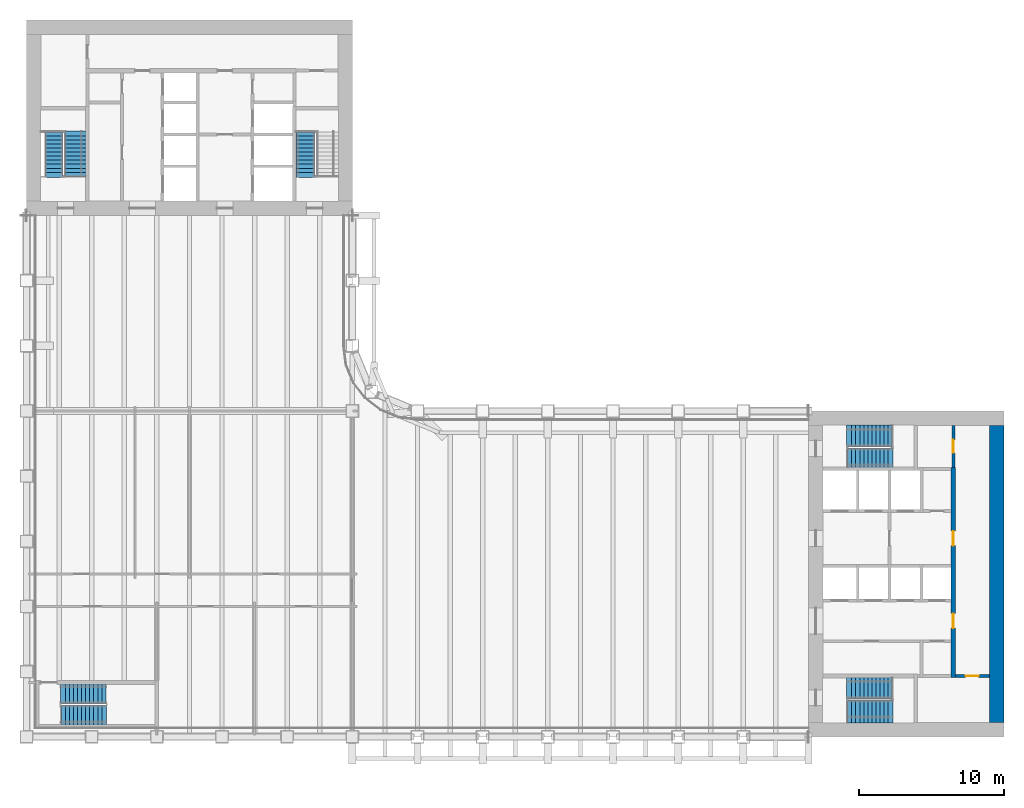
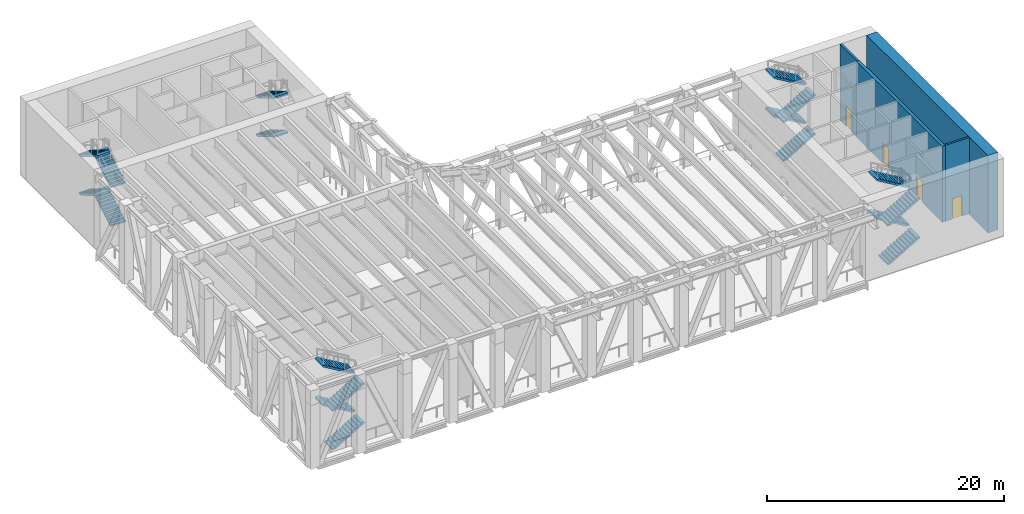
# One storey, part 11 of 16: 18 stair flights, 4 doors, 4 walls, 4 openings, 5 elements without a shape of their own.
"""IFC4 building model written with IfcOpenShell, lengths in metres."""

from ifc_helpers import new_model, si_unit, direction, frame, frame_2d, origin, place, context, subcontext, project, spatial, polyline, rectangle, outline, extrude, material, layer, layer_set, type_object, element, fill, aggregate, save


model = new_model("IFC4")

# Units and contexts
model_context = context("Model", 3, precision=1e-05, world=origin(), true_north=direction((0.0, 1.0)))
body_context = subcontext(model_context, "Body", "Model", "MODEL_VIEW")
ifc_project = project(units=[si_unit("LENGTHUNIT", "METRE"), si_unit("AREAUNIT", "SQUARE_METRE"), si_unit("VOLUMEUNIT", "CUBIC_METRE"), si_unit("PLANEANGLEUNIT", "RADIAN"), si_unit("MASSUNIT", "GRAM", prefix="KILO")], contexts=[model_context])

# Site, building, storey
site_placement = place(None, origin())
site = spatial("IfcSite", under=ifc_project, at=site_placement, CompositionType="ELEMENT")
building_placement = place(site_placement, origin())
building = spatial("IfcBuilding", under=site, at=building_placement, Name="Sennacour Bend Tower", CompositionType="ELEMENT")
storey_placement = place(building_placement, frame((0.0, 0.0, 187.0)))
storey = spatial("IfcBuildingStorey", under=building, at=storey_placement, Name="L43", CompositionType="ELEMENT", Elevation=187.0)

# Wall
ifc_material_1 = material(Name="Concrete C60/75", Category="concrete")
ifc_layer_1 = layer(ifc_material_1, 1.0, Name="Concrete C60/75", Category="concrete")
ifc_layer_set_1 = layer_set([ifc_layer_1], Name="Concrete C60/75")
wall_type_1 = type_object("IfcWallType", Name="Core wall 1000 C60/75", PredefinedType="SHEAR", material=ifc_layer_set_1)
wall_1_placement = place(storey_placement, frame((67.0, 1.0, -0.14990234375), z_axis=(0.0, 0.0, 1.0), x_axis=(0.0, 1.0, 0.0)))
element("IfcWall", 1, at=wall_1_placement, inside=storey, type_object=wall_type_1, Name="Core A wall L43 E", PredefinedType="SHEAR", context=body_context, shape_type="SweptSolid", body=[
    extrude(rectangle(XDim=20.5, YDim=1.0, at=frame_2d((10.25, 0.0))), origin(), (0.0, 0.0, 1.0), 8.0),
])

# Wall, opening, door
ifc_material_2 = material(Name="Fire-rated plasterboard partition on steel studs", Category="steel")
ifc_layer_2 = layer(ifc_material_2, 0.199951171875, Name="Fire-rated plasterboard partition on steel studs", Category="steel")
ifc_layer_set_2 = layer_set([ifc_layer_2], Name="Fire-rated plasterboard partition on steel studs")
wall_type_2 = type_object("IfcWallType", Name="Rated partition 200", PredefinedType="PARTITIONING", material=ifc_layer_set_2)
wall_2_placement = place(storey_placement, frame((64.0, 18.60009765625, 0.0), z_axis=(0.0, 0.0, 1.0), x_axis=(0.0, 1.0, 0.0)))
wall_2 = element("IfcWall", 2, at=wall_2_placement, inside=storey, type_object=wall_type_2, Name="P-L43-W031", PredefinedType="PARTITIONING", context=body_context, shape_type="SweptSolid", body=[
    extrude(rectangle(XDim=2.89990234375, YDim=0.199951171875, at=frame_2d((1.449951171875, 0.0))), origin(), (0.0, 0.0, 1.0), 7.85009765625),
])
opening_1_placement = place(wall_2_placement, frame((1.0, 0.0, 0.0)))
opening_1 = element("IfcOpeningElement", 3, at=opening_1_placement, cuts=wall_2, Name="Opening SV", PredefinedType="OPENING", context=body_context, shape_type="SweptSolid", body=[
    extrude(rectangle(XDim=0.89990234375, YDim=2.10009765625, at=frame_2d((0.449951171875, 1.050048828125))), frame((0.0, 0.10986328125, 0.0), z_axis=(0.0, -1.0, 0.0), x_axis=(1.0, 0.0, 0.0)), (0.0, 0.0, 1.0), 0.219970703125),
])
ifc_material_3 = material(Name="Painted steel", Category="steel")
door_type_1 = type_object("IfcDoorType", Name="DR-SERVICE-900", OperationType="NOTDEFINED", PredefinedType="DOOR", material=ifc_material_3)
door_1_placement = place(opening_1_placement, origin())
door_1 = element("IfcDoor", 4, at=door_1_placement, inside=storey, type_object=door_type_1, Name="Door", OperationType="SINGLE_SWING_LEFT", OverallHeight=2.10009765625, OverallWidth=0.89990234375, PredefinedType="DOOR", context=body_context, shape_type="SweptSolid", body=[
    extrude(rectangle(XDim=0.89990234375, YDim=2.10009765625, at=frame_2d((0.449951171875, 1.050048828125))), frame((0.0, 0.02490234375, 0.0), z_axis=(0.0, -1.0, 0.0), x_axis=(1.0, 0.0, 0.0)), (0.0, 0.0, 1.0), 0.050048828125),
])
fill(opening_1, door_1)

wall_3_placement = place(storey_placement, frame((64.14990234375, 4.199951171875, 0.0), z_axis=(0.0, 0.0, 1.0), x_axis=(1.0, 0.0, 0.0)))
wall_3 = element("IfcWall", 5, at=wall_3_placement, inside=storey, type_object=wall_type_2, Name="P-L43-W037c", PredefinedType="PARTITIONING", context=body_context, shape_type="SweptSolid", body=[
    extrude(rectangle(XDim=2.35009765625, YDim=0.199951171875, at=frame_2d((1.175048828125, 0.0))), origin(), (0.0, 0.0, 1.0), 7.85009765625),
])
opening_2_placement = place(wall_3_placement, frame((0.7001953125, 0.0, 0.0)))
opening_2 = element("IfcOpeningElement", 6, at=opening_2_placement, cuts=wall_3, Name="Opening SV", PredefinedType="OPENING", context=body_context, shape_type="SweptSolid", body=[
    extrude(rectangle(XDim=0.89990234375, YDim=2.10009765625, at=frame_2d((0.449951171875, 1.050048828125))), frame((0.0, 0.10986328125, 0.0), z_axis=(0.0, -1.0, 0.0), x_axis=(1.0, 0.0, 0.0)), (0.0, 0.0, 1.0), 0.219970703125),
])
door_2_placement = place(opening_2_placement, origin())
door_2 = element("IfcDoor", 7, at=door_2_placement, inside=storey, type_object=door_type_1, Name="Door", OperationType="SINGLE_SWING_LEFT", OverallHeight=2.10009765625, OverallWidth=0.89990234375, PredefinedType="DOOR", context=body_context, shape_type="SweptSolid", body=[
    extrude(rectangle(XDim=0.89990234375, YDim=2.10009765625, at=frame_2d((0.449951171875, 1.050048828125))), frame((0.0, 0.02490234375, 0.0), z_axis=(0.0, -1.0, 0.0), x_axis=(1.0, 0.0, 0.0)), (0.0, 0.0, 1.0), 0.050048828125),
])
fill(opening_2, door_2)

# Wall, openings, doors
ifc_layer_3 = layer(ifc_material_1, 0.300048828125, Name="Concrete C60/75", Category="concrete")
ifc_layer_set_3 = layer_set([ifc_layer_3], Name="Concrete C60/75")
wall_type_3 = type_object("IfcWallType", Name="Spine wall 300", PredefinedType="SHEAR", material=ifc_layer_set_3)
wall_4_placement = place(storey_placement, frame((64.0, 4.10009765625, 0.0), z_axis=(0.0, 0.0, 1.0), x_axis=(0.0, 1.0, 0.0)))
wall_4 = element("IfcWall", 8, at=wall_4_placement, inside=storey, type_object=wall_type_3, Name="P-L43-W030", PredefinedType="SHEAR", context=body_context, shape_type="SweptSolid", body=[
    extrude(rectangle(XDim=14.5, YDim=0.300048828125, at=frame_2d((7.25, 0.0))), origin(), (0.0, 0.0, 1.0), 7.85009765625),
])
opening_3_placement = place(wall_4_placement, frame((3.39990234375, 0.0, 0.0)))
opening_3 = element("IfcOpeningElement", 9, at=opening_3_placement, cuts=wall_4, Name="Opening CD2", PredefinedType="OPENING", context=body_context, shape_type="SweptSolid", body=[
    extrude(rectangle(XDim=1.0, YDim=2.10009765625, at=frame_2d((0.5, 1.050048828125))), frame((0.0, 0.16015625, 0.0), z_axis=(0.0, -1.0, 0.0), x_axis=(1.0, 0.0, 0.0)), (0.0, 0.0, 1.0), 0.320068359375),
])
opening_4_placement = place(wall_4_placement, frame((9.099853515625, 0.0, 0.0)))
opening_4 = element("IfcOpeningElement", 10, at=opening_4_placement, cuts=wall_4, Name="Opening CD2", PredefinedType="OPENING", context=body_context, shape_type="SweptSolid", body=[
    extrude(rectangle(XDim=1.0, YDim=2.10009765625, at=frame_2d((0.5, 1.050048828125))), frame((0.0, 0.16015625, 0.0), z_axis=(0.0, -1.0, 0.0), x_axis=(1.0, 0.0, 0.0)), (0.0, 0.0, 1.0), 0.320068359375),
])
door_type_2 = type_object("IfcDoorType", Name="DR-LOBBY-1000", OperationType="NOTDEFINED", PredefinedType="DOOR", material=ifc_material_3)
door_3_placement = place(opening_3_placement, origin())
door_3 = element("IfcDoor", 11, at=door_3_placement, inside=storey, type_object=door_type_2, Name="Door", OperationType="SINGLE_SWING_LEFT", OverallHeight=2.10009765625, OverallWidth=1.0, PredefinedType="DOOR", context=body_context, shape_type="SweptSolid", body=[
    extrude(rectangle(XDim=1.0, YDim=2.10009765625, at=frame_2d((0.5, 1.050048828125))), frame((0.0, 0.02490234375, 0.0), z_axis=(0.0, -1.0, 0.0), x_axis=(1.0, 0.0, 0.0)), (0.0, 0.0, 1.0), 0.050048828125),
])
fill(opening_3, door_3)
door_4_placement = place(opening_4_placement, origin())
door_4 = element("IfcDoor", 12, at=door_4_placement, inside=storey, type_object=door_type_2, Name="Door", OperationType="SINGLE_SWING_RIGHT", OverallHeight=2.10009765625, OverallWidth=1.0, PredefinedType="DOOR", context=body_context, shape_type="SweptSolid", body=[
    extrude(rectangle(XDim=1.0, YDim=2.10009765625, at=frame_2d((0.5, 1.050048828125))), frame((0.0, 0.02490234375, 0.0), z_axis=(0.0, -1.0, 0.0), x_axis=(1.0, 0.0, 0.0)), (0.0, 0.0, 1.0), 0.050048828125),
])
fill(opening_4, door_4)

# Stair, stair flights
ifc_material_4 = material(Name="Concrete C40/50", Category="concrete")
stair_type = type_object("IfcStairType", Name="ST-DOGLEG", PredefinedType="HALF_TURN_STAIR", material=ifc_material_4)
stair_1_placement = place(storey_placement, origin())
stair_1 = element("IfcStair", 13, at=stair_1_placement, inside=storey, type_object=stair_type, Name="L43 Exit stair A1", PredefinedType="HALF_TURN_STAIR")
stair_flight_type = type_object("IfcStairFlightType", Name="SFL-RC", PredefinedType="STRAIGHT", material=ifc_material_4)
stair_flight_1_placement = place(storey_placement, frame((56.699951171875, 1.735107421875, 0.0), z_axis=(0.0, 0.0, 1.0), x_axis=(1.0, 0.0, 0.0)))
stair_flight_1 = element("IfcStairFlight", 14, at=stair_flight_1_placement, type_object=stair_flight_type, Name="SA1 flight 1", NumberOfRisers=12, NumberOfTreads=11, PredefinedType="STRAIGHT", RiserHeight=0.166666667, TreadLength=0.28, context=body_context, shape_type="SweptSolid", body=[
    extrude(outline(polyline([(0.0, 0.0), (0.0, 0.166748046875), (0.280029296875, 0.166748046875), (0.280029296875, 0.333251953125), (0.56005859375, 0.333251953125), (0.56005859375, 0.5), (0.840087890625, 0.5), (0.840087890625, 0.666748046875), (1.1201171875, 0.666748046875), (1.1201171875, 0.833251953125), (1.39990234375, 0.833251953125), (1.39990234375, 1.0), (1.679931640625, 1.0), (1.679931640625, 1.166748046875), (1.9599609375, 1.166748046875), (1.9599609375, 1.333251953125), (2.239990234375, 1.333251953125), (2.239990234375, 1.5), (2.52001953125, 1.5), (2.52001953125, 1.666748046875), (2.800048828125, 1.666748046875), (2.800048828125, 1.833251953125), (3.080078125, 1.833251953125), (3.139892578125, 1.833251953125), (3.139892578125, 1.658935546875), (3.080078125, 1.658935546875), (0.29296875, 0.0), (0.0, 0.0)])), frame((0.0, 0.76513671875, 0.0), z_axis=(0.0, -1.0, 0.0), x_axis=(1.0, 0.0, 0.0)), (0.0, 0.0, 1.0), 1.530029296875),
])
stair_flight_2_placement = place(storey_placement, frame((59.780029296875, 3.37744140625, 2.0), z_axis=(0.0, 0.0, 1.0), x_axis=(-1.0, 0.0, 0.0)))
stair_flight_2 = element("IfcStairFlight", 15, at=stair_flight_2_placement, type_object=stair_flight_type, Name="SA1 flight 2", NumberOfRisers=12, NumberOfTreads=11, PredefinedType="STRAIGHT", RiserHeight=0.166666667, TreadLength=0.28, context=body_context, shape_type="SweptSolid", body=[
    extrude(outline(polyline([(0.0, 0.0), (0.0, 0.166748046875), (0.280029296875, 0.166748046875), (0.280029296875, 0.333251953125), (0.56005859375, 0.333251953125), (0.56005859375, 0.5), (0.840087890625, 0.5), (0.840087890625, 0.666748046875), (1.1201171875, 0.666748046875), (1.1201171875, 0.833251953125), (1.39990234375, 0.833251953125), (1.39990234375, 1.0), (1.679931640625, 1.0), (1.679931640625, 1.166748046875), (1.9599609375, 1.166748046875), (1.9599609375, 1.333251953125), (2.239990234375, 1.333251953125), (2.239990234375, 1.5), (2.52001953125, 1.5), (2.52001953125, 1.666748046875), (2.800048828125, 1.666748046875), (2.800048828125, 1.833251953125), (3.080078125, 1.833251953125), (3.139892578125, 1.833251953125), (3.139892578125, 1.658935546875), (3.080078125, 1.658935546875), (0.29296875, 0.0), (0.0, 0.0)])), frame((0.0, 0.7275390625, 0.0), z_axis=(0.0, -1.0, 0.0), x_axis=(1.0, 0.0, 0.0)), (0.0, 0.0, 1.0), 1.455078125),
])
stair_flight_3_placement = place(storey_placement, frame((56.699951171875, 1.735107421875, 4.0), z_axis=(0.0, 0.0, 1.0), x_axis=(1.0, 0.0, 0.0)))
stair_flight_3 = element("IfcStairFlight", 16, at=stair_flight_3_placement, type_object=stair_flight_type, Name="SA1 flight 3", NumberOfRisers=12, NumberOfTreads=11, PredefinedType="STRAIGHT", RiserHeight=0.166666667, TreadLength=0.28, context=body_context, shape_type="SweptSolid", body=[
    extrude(outline(polyline([(0.0, 0.0), (0.0, 0.166748046875), (0.280029296875, 0.166748046875), (0.280029296875, 0.333251953125), (0.56005859375, 0.333251953125), (0.56005859375, 0.5), (0.840087890625, 0.5), (0.840087890625, 0.666748046875), (1.1201171875, 0.666748046875), (1.1201171875, 0.833251953125), (1.39990234375, 0.833251953125), (1.39990234375, 1.0), (1.679931640625, 1.0), (1.679931640625, 1.166748046875), (1.9599609375, 1.166748046875), (1.9599609375, 1.333251953125), (2.239990234375, 1.333251953125), (2.239990234375, 1.5), (2.52001953125, 1.5), (2.52001953125, 1.666748046875), (2.800048828125, 1.666748046875), (2.800048828125, 1.833251953125), (3.080078125, 1.833251953125), (3.139892578125, 1.833251953125), (3.139892578125, 1.658935546875), (3.080078125, 1.658935546875), (0.29296875, 0.0), (0.0, 0.0)])), frame((0.0, 0.76513671875, 0.0), z_axis=(0.0, -1.0, 0.0), x_axis=(1.0, 0.0, 0.0)), (0.0, 0.0, 1.0), 1.530029296875),
])
stair_flight_4_placement = place(storey_placement, frame((59.780029296875, 3.37744140625, 6.0), z_axis=(0.0, 0.0, 1.0), x_axis=(-1.0, 0.0, 0.0)))
stair_flight_4 = element("IfcStairFlight", 17, at=stair_flight_4_placement, type_object=stair_flight_type, Name="SA1 flight 4", NumberOfRisers=12, NumberOfTreads=11, PredefinedType="STRAIGHT", RiserHeight=0.166666667, TreadLength=0.28, context=body_context, shape_type="SweptSolid", body=[
    extrude(outline(polyline([(0.0, 0.0), (0.0, 0.166748046875), (0.280029296875, 0.166748046875), (0.280029296875, 0.333251953125), (0.56005859375, 0.333251953125), (0.56005859375, 0.5), (0.840087890625, 0.5), (0.840087890625, 0.666748046875), (1.1201171875, 0.666748046875), (1.1201171875, 0.833251953125), (1.39990234375, 0.833251953125), (1.39990234375, 1.0), (1.679931640625, 1.0), (1.679931640625, 1.166748046875), (1.9599609375, 1.166748046875), (1.9599609375, 1.333251953125), (2.239990234375, 1.333251953125), (2.239990234375, 1.5), (2.52001953125, 1.5), (2.52001953125, 1.666748046875), (2.800048828125, 1.666748046875), (2.800048828125, 1.833251953125), (3.080078125, 1.833251953125), (3.139892578125, 1.833251953125), (3.139892578125, 1.658935546875), (3.080078125, 1.658935546875), (0.29296875, 0.0), (0.0, 0.0)])), frame((0.0, 0.7275390625, 0.0), z_axis=(0.0, -1.0, 0.0), x_axis=(1.0, 0.0, 0.0)), (0.0, 0.0, 1.0), 1.455078125),
])
aggregate(stair_1, [stair_flight_1, stair_flight_2, stair_flight_3, stair_flight_4])

stair_2_placement = place(storey_placement, origin())
stair_2 = element("IfcStair", 18, at=stair_2_placement, inside=storey, type_object=stair_type, Name="L43 Exit stair A2", PredefinedType="HALF_TURN_STAIR")
stair_flight_5_placement = place(storey_placement, frame((56.699951171875, 19.24755859375, 0.0), z_axis=(0.0, 0.0, 1.0), x_axis=(1.0, 0.0, 0.0)))
stair_flight_5 = element("IfcStairFlight", 19, at=stair_flight_5_placement, type_object=stair_flight_type, Name="SA2 flight 1", NumberOfRisers=12, NumberOfTreads=11, PredefinedType="STRAIGHT", RiserHeight=0.166666667, TreadLength=0.28, context=body_context, shape_type="SweptSolid", body=[
    extrude(outline(polyline([(0.0, 0.0), (0.0, 0.166748046875), (0.280029296875, 0.166748046875), (0.280029296875, 0.333251953125), (0.56005859375, 0.333251953125), (0.56005859375, 0.5), (0.840087890625, 0.5), (0.840087890625, 0.666748046875), (1.1201171875, 0.666748046875), (1.1201171875, 0.833251953125), (1.39990234375, 0.833251953125), (1.39990234375, 1.0), (1.679931640625, 1.0), (1.679931640625, 1.166748046875), (1.9599609375, 1.166748046875), (1.9599609375, 1.333251953125), (2.239990234375, 1.333251953125), (2.239990234375, 1.5), (2.52001953125, 1.5), (2.52001953125, 1.666748046875), (2.800048828125, 1.666748046875), (2.800048828125, 1.833251953125), (3.080078125, 1.833251953125), (3.139892578125, 1.833251953125), (3.139892578125, 1.658935546875), (3.080078125, 1.658935546875), (0.29296875, 0.0), (0.0, 0.0)])), frame((0.0, 0.65234375, 0.0), z_axis=(0.0, -1.0, 0.0), x_axis=(1.0, 0.0, 0.0)), (0.0, 0.0, 1.0), 1.304931640625),
])
stair_flight_6_placement = place(storey_placement, frame((59.780029296875, 20.7900390625, 2.0), z_axis=(0.0, 0.0, 1.0), x_axis=(-1.0, 0.0, 0.0)))
stair_flight_6 = element("IfcStairFlight", 20, at=stair_flight_6_placement, type_object=stair_flight_type, Name="SA2 flight 2", NumberOfRisers=12, NumberOfTreads=11, PredefinedType="STRAIGHT", RiserHeight=0.166666667, TreadLength=0.28, context=body_context, shape_type="SweptSolid", body=[
    extrude(outline(polyline([(0.0, 0.0), (0.0, 0.166748046875), (0.280029296875, 0.166748046875), (0.280029296875, 0.333251953125), (0.56005859375, 0.333251953125), (0.56005859375, 0.5), (0.840087890625, 0.5), (0.840087890625, 0.666748046875), (1.1201171875, 0.666748046875), (1.1201171875, 0.833251953125), (1.39990234375, 0.833251953125), (1.39990234375, 1.0), (1.679931640625, 1.0), (1.679931640625, 1.166748046875), (1.9599609375, 1.166748046875), (1.9599609375, 1.333251953125), (2.239990234375, 1.333251953125), (2.239990234375, 1.5), (2.52001953125, 1.5), (2.52001953125, 1.666748046875), (2.800048828125, 1.666748046875), (2.800048828125, 1.833251953125), (3.080078125, 1.833251953125), (3.139892578125, 1.833251953125), (3.139892578125, 1.658935546875), (3.080078125, 1.658935546875), (0.29296875, 0.0), (0.0, 0.0)])), frame((0.0, 0.739990234375, 0.0), z_axis=(0.0, -1.0, 0.0), x_axis=(1.0, 0.0, 0.0)), (0.0, 0.0, 1.0), 1.47998046875),
])
stair_flight_7_placement = place(storey_placement, frame((56.699951171875, 19.24755859375, 4.0), z_axis=(0.0, 0.0, 1.0), x_axis=(1.0, 0.0, 0.0)))
stair_flight_7 = element("IfcStairFlight", 21, at=stair_flight_7_placement, type_object=stair_flight_type, Name="SA2 flight 3", NumberOfRisers=12, NumberOfTreads=11, PredefinedType="STRAIGHT", RiserHeight=0.166666667, TreadLength=0.28, context=body_context, shape_type="SweptSolid", body=[
    extrude(outline(polyline([(0.0, 0.0), (0.0, 0.166748046875), (0.280029296875, 0.166748046875), (0.280029296875, 0.333251953125), (0.56005859375, 0.333251953125), (0.56005859375, 0.5), (0.840087890625, 0.5), (0.840087890625, 0.666748046875), (1.1201171875, 0.666748046875), (1.1201171875, 0.833251953125), (1.39990234375, 0.833251953125), (1.39990234375, 1.0), (1.679931640625, 1.0), (1.679931640625, 1.166748046875), (1.9599609375, 1.166748046875), (1.9599609375, 1.333251953125), (2.239990234375, 1.333251953125), (2.239990234375, 1.5), (2.52001953125, 1.5), (2.52001953125, 1.666748046875), (2.800048828125, 1.666748046875), (2.800048828125, 1.833251953125), (3.080078125, 1.833251953125), (3.139892578125, 1.833251953125), (3.139892578125, 1.658935546875), (3.080078125, 1.658935546875), (0.29296875, 0.0), (0.0, 0.0)])), frame((0.0, 0.65234375, 0.0), z_axis=(0.0, -1.0, 0.0), x_axis=(1.0, 0.0, 0.0)), (0.0, 0.0, 1.0), 1.304931640625),
])
stair_flight_8_placement = place(storey_placement, frame((59.780029296875, 20.7900390625, 6.0), z_axis=(0.0, 0.0, 1.0), x_axis=(-1.0, 0.0, 0.0)))
stair_flight_8 = element("IfcStairFlight", 22, at=stair_flight_8_placement, type_object=stair_flight_type, Name="SA2 flight 4", NumberOfRisers=12, NumberOfTreads=11, PredefinedType="STRAIGHT", RiserHeight=0.166666667, TreadLength=0.28, context=body_context, shape_type="SweptSolid", body=[
    extrude(outline(polyline([(0.0, 0.0), (0.0, 0.166748046875), (0.280029296875, 0.166748046875), (0.280029296875, 0.333251953125), (0.56005859375, 0.333251953125), (0.56005859375, 0.5), (0.840087890625, 0.5), (0.840087890625, 0.666748046875), (1.1201171875, 0.666748046875), (1.1201171875, 0.833251953125), (1.39990234375, 0.833251953125), (1.39990234375, 1.0), (1.679931640625, 1.0), (1.679931640625, 1.166748046875), (1.9599609375, 1.166748046875), (1.9599609375, 1.333251953125), (2.239990234375, 1.333251953125), (2.239990234375, 1.5), (2.52001953125, 1.5), (2.52001953125, 1.666748046875), (2.800048828125, 1.666748046875), (2.800048828125, 1.833251953125), (3.080078125, 1.833251953125), (3.139892578125, 1.833251953125), (3.139892578125, 1.658935546875), (3.080078125, 1.658935546875), (0.29296875, 0.0), (0.0, 0.0)])), frame((0.0, 0.739990234375, 0.0), z_axis=(0.0, -1.0, 0.0), x_axis=(1.0, 0.0, 0.0)), (0.0, 0.0, 1.0), 1.47998046875),
])
aggregate(stair_2, [stair_flight_5, stair_flight_6, stair_flight_7, stair_flight_8])

stair_3_placement = place(storey_placement, origin())
stair_3 = element("IfcStair", 23, at=stair_3_placement, inside=storey, type_object=stair_type, Name="L43 Exit stair B1", PredefinedType="HALF_TURN_STAIR")
stair_flight_9_placement = place(storey_placement, frame((3.37744140625, 38.699951171875, 0.0), z_axis=(0.0, 0.0, 1.0), x_axis=(0.0, 1.0, 0.0)))
stair_flight_9 = element("IfcStairFlight", 24, at=stair_flight_9_placement, type_object=stair_flight_type, Name="SB1 flight 1", NumberOfRisers=12, NumberOfTreads=11, PredefinedType="STRAIGHT", RiserHeight=0.166666667, TreadLength=0.28, context=body_context, shape_type="SweptSolid", body=[
    extrude(outline(polyline([(0.0, 0.0), (0.0, 0.166748046875), (0.280029296875, 0.166748046875), (0.280029296875, 0.333251953125), (0.56005859375, 0.333251953125), (0.56005859375, 0.5), (0.840087890625, 0.5), (0.840087890625, 0.666748046875), (1.1201171875, 0.666748046875), (1.1201171875, 0.833251953125), (1.39990234375, 0.833251953125), (1.39990234375, 1.0), (1.679931640625, 1.0), (1.679931640625, 1.166748046875), (1.9599609375, 1.166748046875), (1.9599609375, 1.333251953125), (2.239990234375, 1.333251953125), (2.239990234375, 1.5), (2.52001953125, 1.5), (2.52001953125, 1.666748046875), (2.800048828125, 1.666748046875), (2.800048828125, 1.833251953125), (3.080078125, 1.833251953125), (3.139892578125, 1.833251953125), (3.139892578125, 1.658935546875), (3.080078125, 1.658935546875), (0.29296875, 0.0), (0.0, 0.0)])), frame((0.0, 0.7275390625, 0.0), z_axis=(0.0, -1.0, 0.0), x_axis=(1.0, 0.0, 0.0)), (0.0, 0.0, 1.0), 1.455078125),
])
stair_flight_10_placement = place(storey_placement, frame((1.89990234375, 41.780029296875, 2.0), z_axis=(0.0, 0.0, 1.0), x_axis=(0.0, -1.0, 0.0)))
stair_flight_10 = element("IfcStairFlight", 25, at=stair_flight_10_placement, type_object=stair_flight_type, Name="SB1 flight 2", NumberOfRisers=12, NumberOfTreads=11, PredefinedType="STRAIGHT", RiserHeight=0.166666667, TreadLength=0.28, context=body_context, shape_type="SweptSolid", body=[
    extrude(outline(polyline([(0.0, 0.0), (0.0, 0.166748046875), (0.280029296875, 0.166748046875), (0.280029296875, 0.333251953125), (0.56005859375, 0.333251953125), (0.56005859375, 0.5), (0.840087890625, 0.5), (0.840087890625, 0.666748046875), (1.1201171875, 0.666748046875), (1.1201171875, 0.833251953125), (1.39990234375, 0.833251953125), (1.39990234375, 1.0), (1.679931640625, 1.0), (1.679931640625, 1.166748046875), (1.9599609375, 1.166748046875), (1.9599609375, 1.333251953125), (2.239990234375, 1.333251953125), (2.239990234375, 1.5), (2.52001953125, 1.5), (2.52001953125, 1.666748046875), (2.800048828125, 1.666748046875), (2.800048828125, 1.833251953125), (3.080078125, 1.833251953125), (3.139892578125, 1.833251953125), (3.139892578125, 1.658935546875), (3.080078125, 1.658935546875), (0.29296875, 0.0), (0.0, 0.0)])), frame((0.0, 0.60009765625, 0.0), z_axis=(0.0, -1.0, 0.0), x_axis=(1.0, 0.0, 0.0)), (0.0, 0.0, 1.0), 1.199951171875),
])
stair_flight_11_placement = place(storey_placement, frame((3.37744140625, 38.699951171875, 4.0), z_axis=(0.0, 0.0, 1.0), x_axis=(0.0, 1.0, 0.0)))
stair_flight_11 = element("IfcStairFlight", 26, at=stair_flight_11_placement, type_object=stair_flight_type, Name="SB1 flight 3", NumberOfRisers=12, NumberOfTreads=11, PredefinedType="STRAIGHT", RiserHeight=0.166666667, TreadLength=0.28, context=body_context, shape_type="SweptSolid", body=[
    extrude(outline(polyline([(0.0, 0.0), (0.0, 0.166748046875), (0.280029296875, 0.166748046875), (0.280029296875, 0.333251953125), (0.56005859375, 0.333251953125), (0.56005859375, 0.5), (0.840087890625, 0.5), (0.840087890625, 0.666748046875), (1.1201171875, 0.666748046875), (1.1201171875, 0.833251953125), (1.39990234375, 0.833251953125), (1.39990234375, 1.0), (1.679931640625, 1.0), (1.679931640625, 1.166748046875), (1.9599609375, 1.166748046875), (1.9599609375, 1.333251953125), (2.239990234375, 1.333251953125), (2.239990234375, 1.5), (2.52001953125, 1.5), (2.52001953125, 1.666748046875), (2.800048828125, 1.666748046875), (2.800048828125, 1.833251953125), (3.080078125, 1.833251953125), (3.139892578125, 1.833251953125), (3.139892578125, 1.658935546875), (3.080078125, 1.658935546875), (0.29296875, 0.0), (0.0, 0.0)])), frame((0.0, 0.7275390625, 0.0), z_axis=(0.0, -1.0, 0.0), x_axis=(1.0, 0.0, 0.0)), (0.0, 0.0, 1.0), 1.455078125),
])
stair_flight_12_placement = place(storey_placement, frame((1.89990234375, 41.780029296875, 6.0), z_axis=(0.0, 0.0, 1.0), x_axis=(0.0, -1.0, 0.0)))
stair_flight_12 = element("IfcStairFlight", 27, at=stair_flight_12_placement, type_object=stair_flight_type, Name="SB1 flight 4", NumberOfRisers=12, NumberOfTreads=11, PredefinedType="STRAIGHT", RiserHeight=0.166666667, TreadLength=0.28, context=body_context, shape_type="SweptSolid", body=[
    extrude(outline(polyline([(0.0, 0.0), (0.0, 0.166748046875), (0.280029296875, 0.166748046875), (0.280029296875, 0.333251953125), (0.56005859375, 0.333251953125), (0.56005859375, 0.5), (0.840087890625, 0.5), (0.840087890625, 0.666748046875), (1.1201171875, 0.666748046875), (1.1201171875, 0.833251953125), (1.39990234375, 0.833251953125), (1.39990234375, 1.0), (1.679931640625, 1.0), (1.679931640625, 1.166748046875), (1.9599609375, 1.166748046875), (1.9599609375, 1.333251953125), (2.239990234375, 1.333251953125), (2.239990234375, 1.5), (2.52001953125, 1.5), (2.52001953125, 1.666748046875), (2.800048828125, 1.666748046875), (2.800048828125, 1.833251953125), (3.080078125, 1.833251953125), (3.139892578125, 1.833251953125), (3.139892578125, 1.658935546875), (3.080078125, 1.658935546875), (0.29296875, 0.0), (0.0, 0.0)])), frame((0.0, 0.60009765625, 0.0), z_axis=(0.0, -1.0, 0.0), x_axis=(1.0, 0.0, 0.0)), (0.0, 0.0, 1.0), 1.199951171875),
])
aggregate(stair_3, [stair_flight_9, stair_flight_10, stair_flight_11, stair_flight_12])

stair_4_placement = place(storey_placement, origin())
stair_4 = element("IfcStair", 28, at=stair_4_placement, inside=storey, type_object=stair_type, Name="L43 Exit stair B2", PredefinedType="HALF_TURN_STAIR")
stair_flight_13_placement = place(storey_placement, frame((19.24755859375, 41.780029296875, 2.0), z_axis=(0.0, 0.0, 1.0), x_axis=(0.0, -1.0, 0.0)))
stair_flight_13 = element("IfcStairFlight", 29, at=stair_flight_13_placement, type_object=stair_flight_type, Name="SB2 flight 2", NumberOfRisers=12, NumberOfTreads=11, PredefinedType="STRAIGHT", RiserHeight=0.166666667, TreadLength=0.28, context=body_context, shape_type="SweptSolid", body=[
    extrude(outline(polyline([(0.0, 0.0), (0.0, 0.166748046875), (0.280029296875, 0.166748046875), (0.280029296875, 0.333251953125), (0.56005859375, 0.333251953125), (0.56005859375, 0.5), (0.840087890625, 0.5), (0.840087890625, 0.666748046875), (1.1201171875, 0.666748046875), (1.1201171875, 0.833251953125), (1.39990234375, 0.833251953125), (1.39990234375, 1.0), (1.679931640625, 1.0), (1.679931640625, 1.166748046875), (1.9599609375, 1.166748046875), (1.9599609375, 1.333251953125), (2.239990234375, 1.333251953125), (2.239990234375, 1.5), (2.52001953125, 1.5), (2.52001953125, 1.666748046875), (2.800048828125, 1.666748046875), (2.800048828125, 1.833251953125), (3.080078125, 1.833251953125), (3.139892578125, 1.833251953125), (3.139892578125, 1.658935546875), (3.080078125, 1.658935546875), (0.29296875, 0.0), (0.0, 0.0)])), frame((0.0, 0.65234375, 0.0), z_axis=(0.0, -1.0, 0.0), x_axis=(1.0, 0.0, 0.0)), (0.0, 0.0, 1.0), 1.304931640625),
])
stair_flight_14_placement = place(storey_placement, frame((19.24755859375, 41.780029296875, 6.0), z_axis=(0.0, 0.0, 1.0), x_axis=(0.0, -1.0, 0.0)))
stair_flight_14 = element("IfcStairFlight", 30, at=stair_flight_14_placement, type_object=stair_flight_type, Name="SB2 flight 4", NumberOfRisers=12, NumberOfTreads=11, PredefinedType="STRAIGHT", RiserHeight=0.166666667, TreadLength=0.28, context=body_context, shape_type="SweptSolid", body=[
    extrude(outline(polyline([(0.0, 0.0), (0.0, 0.166748046875), (0.280029296875, 0.166748046875), (0.280029296875, 0.333251953125), (0.56005859375, 0.333251953125), (0.56005859375, 0.5), (0.840087890625, 0.5), (0.840087890625, 0.666748046875), (1.1201171875, 0.666748046875), (1.1201171875, 0.833251953125), (1.39990234375, 0.833251953125), (1.39990234375, 1.0), (1.679931640625, 1.0), (1.679931640625, 1.166748046875), (1.9599609375, 1.166748046875), (1.9599609375, 1.333251953125), (2.239990234375, 1.333251953125), (2.239990234375, 1.5), (2.52001953125, 1.5), (2.52001953125, 1.666748046875), (2.800048828125, 1.666748046875), (2.800048828125, 1.833251953125), (3.080078125, 1.833251953125), (3.139892578125, 1.833251953125), (3.139892578125, 1.658935546875), (3.080078125, 1.658935546875), (0.29296875, 0.0), (0.0, 0.0)])), frame((0.0, 0.65234375, 0.0), z_axis=(0.0, -1.0, 0.0), x_axis=(1.0, 0.0, 0.0)), (0.0, 0.0, 1.0), 1.304931640625),
])
aggregate(stair_4, [stair_flight_13, stair_flight_14])

stair_5_placement = place(storey_placement, origin())
stair_5 = element("IfcStair", 31, at=stair_5_placement, inside=storey, type_object=stair_type, Name="L43 Exit stair K1", PredefinedType="HALF_TURN_STAIR")
stair_flight_15_placement = place(storey_placement, frame((2.39990234375, 1.485107421875, 0.0), z_axis=(0.0, 0.0, 1.0), x_axis=(1.0, 0.0, 0.0)))
stair_flight_15 = element("IfcStairFlight", 32, at=stair_flight_15_placement, type_object=stair_flight_type, Name="SK1 flight 1", NumberOfRisers=12, NumberOfTreads=11, PredefinedType="STRAIGHT", RiserHeight=0.166666667, TreadLength=0.28, context=body_context, shape_type="SweptSolid", body=[
    extrude(outline(polyline([(0.0, 0.0), (0.0, 0.166748046875), (0.280029296875, 0.166748046875), (0.280029296875, 0.333251953125), (0.56005859375, 0.333251953125), (0.56005859375, 0.5), (0.840087890625, 0.5), (0.840087890625, 0.666748046875), (1.1201171875, 0.666748046875), (1.1201171875, 0.833251953125), (1.39990234375, 0.833251953125), (1.39990234375, 1.0), (1.679931640625, 1.0), (1.679931640625, 1.166748046875), (1.9599609375, 1.166748046875), (1.9599609375, 1.333251953125), (2.239990234375, 1.333251953125), (2.239990234375, 1.5), (2.52001953125, 1.5), (2.52001953125, 1.666748046875), (2.800048828125, 1.666748046875), (2.800048828125, 1.833251953125), (3.080078125, 1.833251953125), (3.139892578125, 1.833251953125), (3.139892578125, 1.658935546875), (3.080078125, 1.658935546875), (0.29296875, 0.0), (0.0, 0.0)])), frame((0.0, 0.6650390625, 0.0), z_axis=(0.0, -1.0, 0.0), x_axis=(1.0, 0.0, 0.0)), (0.0, 0.0, 1.0), 1.330078125),
])
stair_flight_16_placement = place(storey_placement, frame((5.47998046875, 2.9775390625, 2.0), z_axis=(0.0, 0.0, 1.0), x_axis=(-1.0, 0.0, 0.0)))
stair_flight_16 = element("IfcStairFlight", 33, at=stair_flight_16_placement, type_object=stair_flight_type, Name="SK1 flight 2", NumberOfRisers=12, NumberOfTreads=11, PredefinedType="STRAIGHT", RiserHeight=0.166666667, TreadLength=0.28, context=body_context, shape_type="SweptSolid", body=[
    extrude(outline(polyline([(0.0, 0.0), (0.0, 0.166748046875), (0.280029296875, 0.166748046875), (0.280029296875, 0.333251953125), (0.56005859375, 0.333251953125), (0.56005859375, 0.5), (0.840087890625, 0.5), (0.840087890625, 0.666748046875), (1.1201171875, 0.666748046875), (1.1201171875, 0.833251953125), (1.39990234375, 0.833251953125), (1.39990234375, 1.0), (1.679931640625, 1.0), (1.679931640625, 1.166748046875), (1.9599609375, 1.166748046875), (1.9599609375, 1.333251953125), (2.239990234375, 1.333251953125), (2.239990234375, 1.5), (2.52001953125, 1.5), (2.52001953125, 1.666748046875), (2.800048828125, 1.666748046875), (2.800048828125, 1.833251953125), (3.080078125, 1.833251953125), (3.139892578125, 1.833251953125), (3.139892578125, 1.658935546875), (3.080078125, 1.658935546875), (0.29296875, 0.0), (0.0, 0.0)])), frame((0.0, 0.677490234375, 0.0), z_axis=(0.0, -1.0, 0.0), x_axis=(1.0, 0.0, 0.0)), (0.0, 0.0, 1.0), 1.35498046875),
])
stair_flight_17_placement = place(storey_placement, frame((2.39990234375, 1.485107421875, 4.0), z_axis=(0.0, 0.0, 1.0), x_axis=(1.0, 0.0, 0.0)))
stair_flight_17 = element("IfcStairFlight", 34, at=stair_flight_17_placement, type_object=stair_flight_type, Name="SK1 flight 3", NumberOfRisers=12, NumberOfTreads=11, PredefinedType="STRAIGHT", RiserHeight=0.166666667, TreadLength=0.28, context=body_context, shape_type="SweptSolid", body=[
    extrude(outline(polyline([(0.0, 0.0), (0.0, 0.166748046875), (0.280029296875, 0.166748046875), (0.280029296875, 0.333251953125), (0.56005859375, 0.333251953125), (0.56005859375, 0.5), (0.840087890625, 0.5), (0.840087890625, 0.666748046875), (1.1201171875, 0.666748046875), (1.1201171875, 0.833251953125), (1.39990234375, 0.833251953125), (1.39990234375, 1.0), (1.679931640625, 1.0), (1.679931640625, 1.166748046875), (1.9599609375, 1.166748046875), (1.9599609375, 1.333251953125), (2.239990234375, 1.333251953125), (2.239990234375, 1.5), (2.52001953125, 1.5), (2.52001953125, 1.666748046875), (2.800048828125, 1.666748046875), (2.800048828125, 1.833251953125), (3.080078125, 1.833251953125), (3.139892578125, 1.833251953125), (3.139892578125, 1.658935546875), (3.080078125, 1.658935546875), (0.29296875, 0.0), (0.0, 0.0)])), frame((0.0, 0.6650390625, 0.0), z_axis=(0.0, -1.0, 0.0), x_axis=(1.0, 0.0, 0.0)), (0.0, 0.0, 1.0), 1.330078125),
])
stair_flight_18_placement = place(storey_placement, frame((5.47998046875, 2.9775390625, 6.0), z_axis=(0.0, 0.0, 1.0), x_axis=(-1.0, 0.0, 0.0)))
stair_flight_18 = element("IfcStairFlight", 35, at=stair_flight_18_placement, type_object=stair_flight_type, Name="SK1 flight 4", NumberOfRisers=12, NumberOfTreads=11, PredefinedType="STRAIGHT", RiserHeight=0.166666667, TreadLength=0.28, context=body_context, shape_type="SweptSolid", body=[
    extrude(outline(polyline([(0.0, 0.0), (0.0, 0.166748046875), (0.280029296875, 0.166748046875), (0.280029296875, 0.333251953125), (0.56005859375, 0.333251953125), (0.56005859375, 0.5), (0.840087890625, 0.5), (0.840087890625, 0.666748046875), (1.1201171875, 0.666748046875), (1.1201171875, 0.833251953125), (1.39990234375, 0.833251953125), (1.39990234375, 1.0), (1.679931640625, 1.0), (1.679931640625, 1.166748046875), (1.9599609375, 1.166748046875), (1.9599609375, 1.333251953125), (2.239990234375, 1.333251953125), (2.239990234375, 1.5), (2.52001953125, 1.5), (2.52001953125, 1.666748046875), (2.800048828125, 1.666748046875), (2.800048828125, 1.833251953125), (3.080078125, 1.833251953125), (3.139892578125, 1.833251953125), (3.139892578125, 1.658935546875), (3.080078125, 1.658935546875), (0.29296875, 0.0), (0.0, 0.0)])), frame((0.0, 0.677490234375, 0.0), z_axis=(0.0, -1.0, 0.0), x_axis=(1.0, 0.0, 0.0)), (0.0, 0.0, 1.0), 1.35498046875),
])
aggregate(stair_5, [stair_flight_15, stair_flight_16, stair_flight_17, stair_flight_18])

save(model, "model.ifc")
